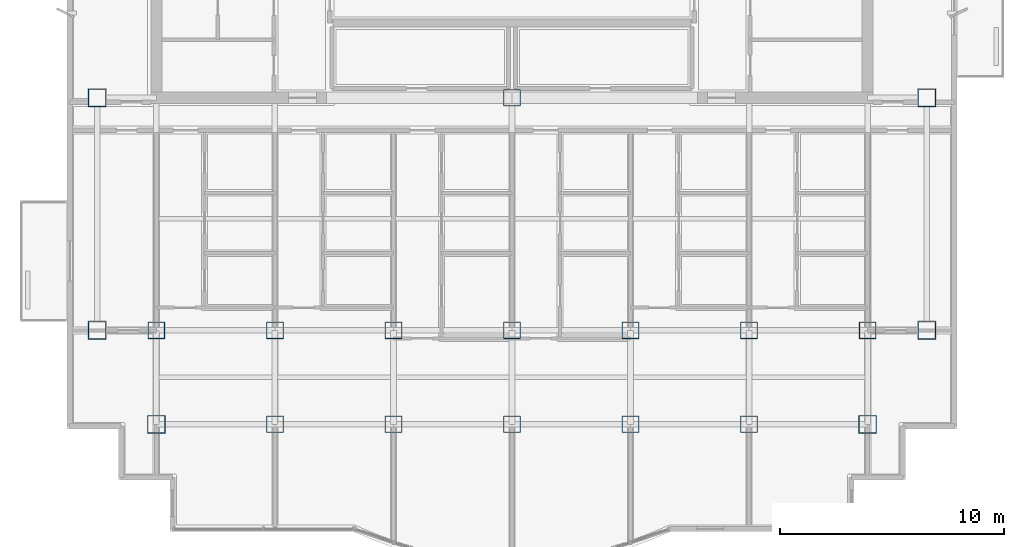
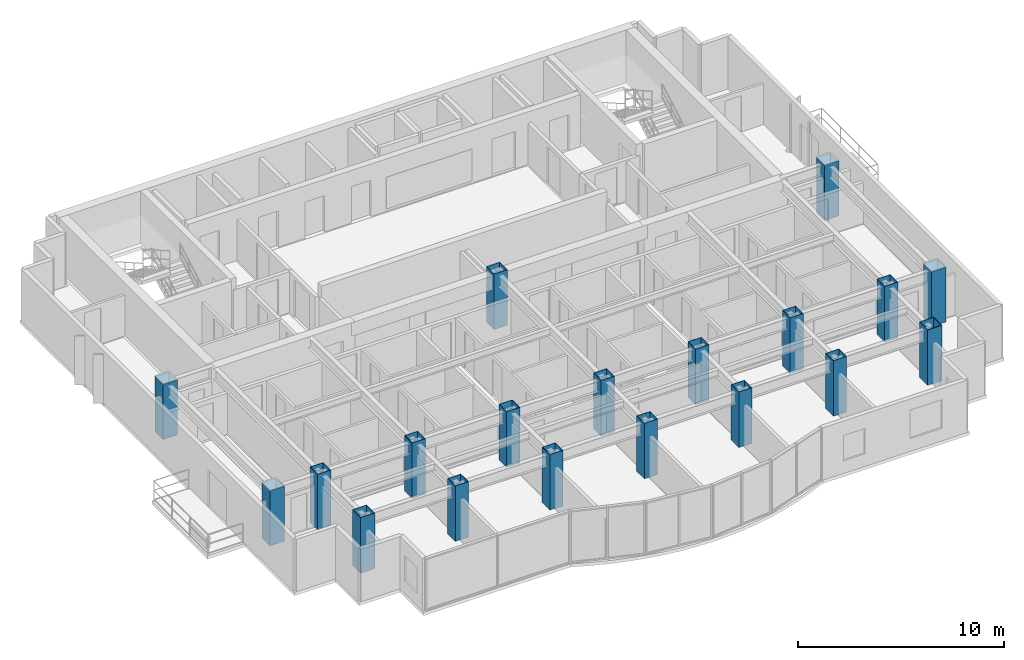
# One storey, part 1 of 9: 19 columns.
"""IFC4 building model written with IfcOpenShell, lengths in metres."""

from ifc_helpers import new_model, si_unit, direction, frame, origin, origin_2d, place, context, subcontext, project, spatial, hollow_rectangle, extrude, material, material_profile, profile_set, type_object, element, save


model = new_model("IFC4")

# Units and contexts
model_context = context("Model", 3, precision=1e-05, world=origin(), true_north=direction((0.0, 1.0)))
body_context = subcontext(model_context, "Body", "Model", "MODEL_VIEW")
ifc_project = project(units=[si_unit("LENGTHUNIT", "METRE"), si_unit("AREAUNIT", "SQUARE_METRE"), si_unit("VOLUMEUNIT", "CUBIC_METRE"), si_unit("PLANEANGLEUNIT", "RADIAN"), si_unit("MASSUNIT", "GRAM", prefix="KILO")], contexts=[model_context])

# Site, building, storey
site_placement = place(None, origin())
site = spatial("IfcSite", under=ifc_project, at=site_placement, CompositionType="ELEMENT")
building_placement = place(site_placement, origin())
building = spatial("IfcBuilding", under=site, at=building_placement, Name="Qianlan Lanfeng Residences", CompositionType="ELEMENT")
storey_placement = place(building_placement, frame((0.0, 0.0, 229.699951171875)))
storey = spatial("IfcBuildingStorey", under=building, at=storey_placement, Name="L63", CompositionType="ELEMENT", Elevation=229.699951171875)

# Columns
ifc_material = material(Name="Steel SN490B", Category="steel")
ifc_material_profile_1 = material_profile(ifc_material, hollow_rectangle(XDim=0.75, YDim=0.75, WallThickness=0.02490234375, at=origin_2d()), Name="BOX 750x750x25")
ifc_profile_set_1 = profile_set([ifc_material_profile_1], Name="Steel SN490B")
column_type_1 = type_object("IfcColumnType", Name="C-B800", PredefinedType="COLUMN", material=ifc_profile_set_1)
for number, where, z_axis, x_axis, name in (
    (1, (26.5, 25.199951171875, 0.0), (0.0, 0.0, 1.0), (1.0, 0.0, 0.0), "L63 Structural Column CP_26.5_25.2"),
    (2, (10.60009765625, 14.800048828125, 0.0), (0.0, 0.0, 1.0), (1.0, 0.0, 0.0), "L63 Structural Column M_10.60_14.80"),
    (3, (15.89990234375, 14.800048828125, 0.0), (0.0, 0.0, 1.0), (1.0, 0.0, 0.0), "L63 Structural Column M_15.90_14.80"),
    (4, (15.89990234375, 10.60009765625, 0.0), (0.0, 0.0, 1.0), (1.0, 0.0, 0.0), "L63 Structural Column G_15.90_10.60"),
    (5, (21.199951171875, 14.800048828125, 0.0), (0.0, 0.0, 1.0), (1.0, 0.0, 0.0), "L63 Structural Column M_21.20_14.80"),
    (6, (21.199951171875, 10.60009765625, 0.0), (0.0, 0.0, 1.0), (1.0, 0.0, 0.0), "L63 Structural Column G_21.20_10.60"),
    (7, (26.5, 14.800048828125, 0.0), (0.0, 0.0, 1.0), (1.0, 0.0, 0.0), "L63 Structural Column M_26.50_14.80"),
    (8, (26.5, 10.60009765625, 0.0), (0.0, 0.0, 1.0), (1.0, 0.0, 0.0), "L63 Structural Column G_26.50_10.60"),
    (9, (31.800048828125, 14.800048828125, 0.0), (0.0, 0.0, 1.0), (1.0, 0.0, 0.0), "L63 Structural Column M_31.80_14.80"),
    (10, (31.800048828125, 10.60009765625, 0.0), (0.0, 0.0, 1.0), (1.0, 0.0, 0.0), "L63 Structural Column G_31.80_10.60"),
    (11, (37.10009765625, 14.800048828125, 0.0), (0.0, 0.0, 1.0), (1.0, 0.0, 0.0), "L63 Structural Column M_37.10_14.80"),
    (12, (37.10009765625, 10.60009765625, 0.0), (0.0, 0.0, 1.0), (1.0, 0.0, 0.0), "L63 Structural Column G_37.10_10.60"),
    (13, (42.39990234375, 14.800048828125, 0.0), (0.0, 0.0, 1.0), (1.0, 0.0, 0.0), "L63 Structural Column M_42.40_14.80"),
):
    element("IfcColumn", number, at=place(storey_placement, frame(where, z_axis=z_axis, x_axis=x_axis)), inside=storey, type_object=column_type_1, Name=name, PredefinedType="COLUMN", context=body_context, shape_type="SweptSolid", body=[
        extrude(hollow_rectangle(XDim=0.75, YDim=0.75, WallThickness=0.02490234375, at=origin_2d()), origin(), (0.0, 0.0, 1.0), 3.300048828125),
    ])
ifc_material_profile_2 = material_profile(ifc_material, hollow_rectangle(XDim=0.800048828125, YDim=0.800048828125, WallThickness=0.028076171875, at=origin_2d()), Name="BOX 800x800x28")
ifc_profile_set_2 = profile_set([ifc_material_profile_2], Name="Steel SN490B")
column_type_2 = type_object("IfcColumnType", Name="CE-B800", PredefinedType="COLUMN", material=ifc_profile_set_2)
for number, where, z_axis, x_axis, name in (
    (14, (10.60009765625, 10.60009765625, 0.0), (0.0, 0.0, 1.0), (1.0, 0.0, 0.0), "L63 Structural Column G_10.60_10.60"),
    (15, (42.39990234375, 10.60009765625, 0.0), (0.0, 0.0, 1.0), (1.0, 0.0, 0.0), "L63 Structural Column G_42.40_10.60"),
):
    element("IfcColumn", number, at=place(storey_placement, frame(where, z_axis=z_axis, x_axis=x_axis)), inside=storey, type_object=column_type_2, Name=name, PredefinedType="COLUMN", context=body_context, shape_type="SweptSolid", body=[
        extrude(hollow_rectangle(XDim=0.800048828125, YDim=0.800048828125, WallThickness=0.028076171875, at=origin_2d()), origin(), (0.0, 0.0, 1.0), 3.300048828125),
    ])
for number, where, z_axis, x_axis, name in (
    (16, (7.949951171875, 14.800048828125, 0.0), (0.0, 0.0, 1.0), (1.0, 0.0, 0.0), "L63 Structural Column W_7.95_14.80"),
    (17, (7.949951171875, 25.199951171875, 0.0), (0.0, 0.0, 1.0), (1.0, 0.0, 0.0), "L63 Structural Column W_7.95_25.20"),
    (18, (45.050048828125, 14.800048828125, 0.0), (0.0, 0.0, 1.0), (1.0, 0.0, 0.0), "L63 Structural Column W_45.05_14.80"),
    (19, (45.050048828125, 25.199951171875, 0.0), (0.0, 0.0, 1.0), (1.0, 0.0, 0.0), "L63 Structural Column W_45.05_25.20"),
):
    element("IfcColumn", number, at=place(storey_placement, frame(where, z_axis=z_axis, x_axis=x_axis)), inside=storey, type_object=column_type_2, Name=name, PredefinedType="COLUMN", context=body_context, shape_type="SweptSolid", body=[
        extrude(hollow_rectangle(XDim=0.800048828125, YDim=0.800048828125, WallThickness=0.028076171875, at=origin_2d()), origin(), (0.0, 0.0, 1.0), 3.26416015625),
    ])

save(model, "model.ifc")
